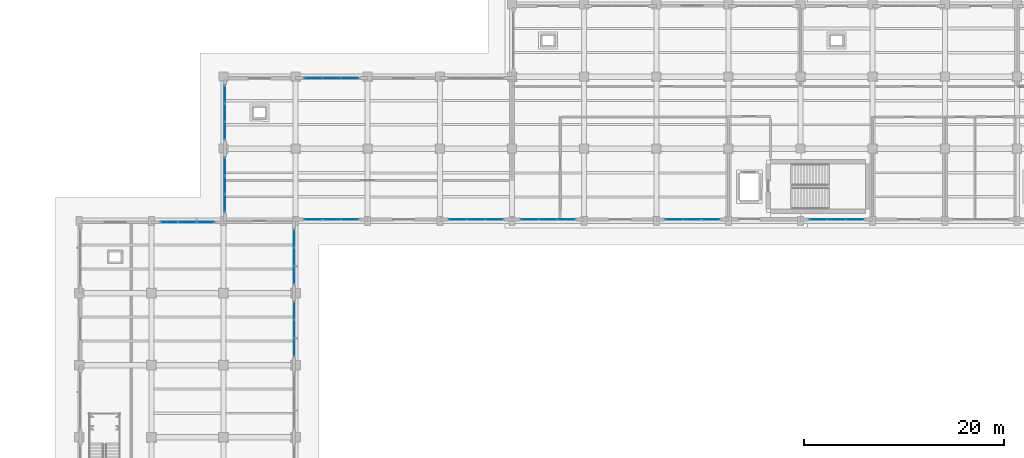
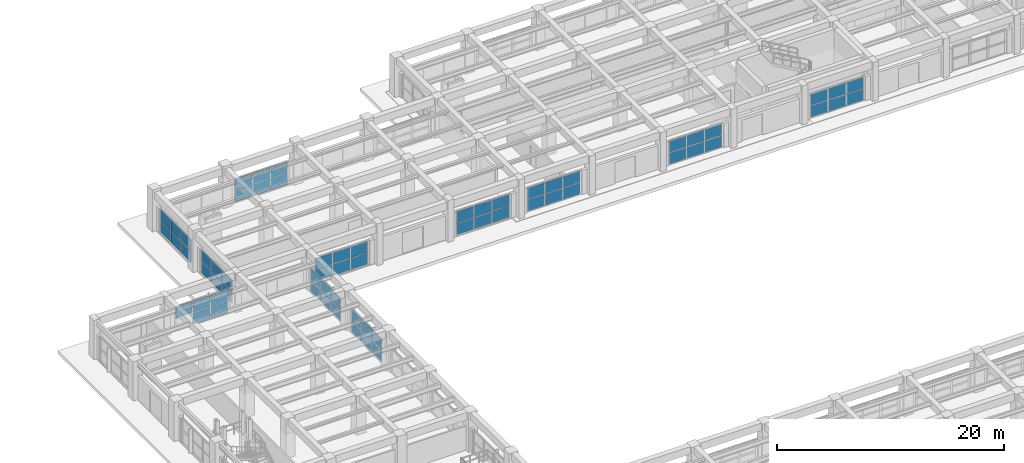
# One storey, part 36 of 64: 65 plates, 11 elements without a shape of their own.
"""IFC4 building model written with IfcOpenShell, lengths in metres."""

from ifc_helpers import new_model, si_unit, direction, frame, origin, origin_2d, place, context, subcontext, project, spatial, rectangle, extrude, material, layer, layer_set, type_object, element, aggregate, save


model = new_model("IFC4")

# Units and contexts
model_context = context("Model", 3, precision=1e-05, world=origin(), true_north=direction((0.0, 1.0)))
body_context = subcontext(model_context, "Body", "Model", "MODEL_VIEW")
ifc_project = project(units=[si_unit("LENGTHUNIT", "METRE"), si_unit("AREAUNIT", "SQUARE_METRE"), si_unit("VOLUMEUNIT", "CUBIC_METRE"), si_unit("PLANEANGLEUNIT", "RADIAN"), si_unit("MASSUNIT", "GRAM", prefix="KILO")], contexts=[model_context])

# Site, building, storey
site_placement = place(None, origin())
site = spatial("IfcSite", under=ifc_project, at=site_placement, CompositionType="ELEMENT")
building_placement = place(site_placement, origin())
building = spatial("IfcBuilding", under=site, at=building_placement, Name="Solenvale Faculty of Natural Sciences", CompositionType="ELEMENT")
storey_placement = place(building_placement, origin())
storey = spatial("IfcBuildingStorey", under=building, at=storey_placement, Name="L00", CompositionType="ELEMENT", Elevation=0.0)

# Curtain wall, plates
ifc_material_1 = material(Name="Anodised bronze aluminium", Category="aluminium")
ifc_layer_1 = layer(ifc_material_1, 0.215087890625)
ifc_layer_set_1 = layer_set([ifc_layer_1], Name="Anodised bronze aluminium")
curtain_wall_type_1 = type_object("IfcCurtainWallType", Name="CW-ATR-UNIT", PredefinedType="USERDEFINED", material=ifc_layer_set_1)
curtain_wall_1_placement = place(storey_placement, origin())
curtain_wall_1 = element("IfcCurtainWall", 1, at=curtain_wall_1_placement, inside=storey, type_object=curtain_wall_type_1, Name="L00 Curtain Wall CW-L00-P1-E10-B5", ObjectType="UNITISED CURTAIN WALL", PredefinedType="USERDEFINED")
ifc_material_2 = material(Name="North-light skylight glass", Category="glass")
ifc_layer_2 = layer(ifc_material_2, 0.028076171875)
ifc_layer_set_2 = layer_set([ifc_layer_2], Name="North-light skylight glass")
plate_type_1 = type_object("IfcPlateType", Name="CWP-PNL-28", PredefinedType="CURTAIN_PANEL", material=ifc_layer_set_2)
plate_1_placement = place(storey_placement, frame((57.45751953125, 80.9853515625, 0.074951171875), z_axis=(0.0, 0.0, 1.0), x_axis=(0.0, 1.0, 0.0)))
plate_1 = element("IfcPlate", 2, at=plate_1_placement, type_object=plate_type_1, Name="CW-01 panel 1.1", PredefinedType="CURTAIN_PANEL", context=body_context, shape_type="SweptSolid", body=[
    extrude(rectangle(XDim=1.720947265625, YDim=0.028076171875, at=origin_2d()), origin(), (0.0, 0.0, 1.0), 1.1875),
])
plate_2_placement = place(storey_placement, frame((57.45751953125, 80.9853515625, 1.33740234375), z_axis=(0.0, 0.0, 1.0), x_axis=(0.0, 1.0, 0.0)))
plate_2 = element("IfcPlate", 3, at=plate_2_placement, type_object=plate_type_1, Name="CW-01 panel 1.2", PredefinedType="CURTAIN_PANEL", context=body_context, shape_type="SweptSolid", body=[
    extrude(rectangle(XDim=1.720947265625, YDim=0.028076171875, at=origin_2d()), origin(), (0.0, 0.0, 1.0), 1.1875),
])
plate_3_placement = place(storey_placement, frame((57.45751953125, 82.800048828125, 0.074951171875), z_axis=(0.0, 0.0, 1.0), x_axis=(0.0, 1.0, 0.0)))
plate_3 = element("IfcPlate", 4, at=plate_3_placement, type_object=plate_type_1, Name="CW-01 panel 2.1", PredefinedType="CURTAIN_PANEL", context=body_context, shape_type="SweptSolid", body=[
    extrude(rectangle(XDim=1.75830078125, YDim=0.028076171875, at=origin_2d()), origin(), (0.0, 0.0, 1.0), 1.1875),
])
plate_4_placement = place(storey_placement, frame((57.45751953125, 82.800048828125, 1.33740234375), z_axis=(0.0, 0.0, 1.0), x_axis=(0.0, 1.0, 0.0)))
plate_4 = element("IfcPlate", 5, at=plate_4_placement, type_object=plate_type_1, Name="CW-01 panel 2.2", PredefinedType="CURTAIN_PANEL", context=body_context, shape_type="SweptSolid", body=[
    extrude(rectangle(XDim=1.75830078125, YDim=0.028076171875, at=origin_2d()), origin(), (0.0, 0.0, 1.0), 1.1875),
])
plate_5_placement = place(storey_placement, frame((57.45751953125, 84.614501953125, 0.074951171875), z_axis=(0.0, 0.0, 1.0), x_axis=(0.0, 1.0, 0.0)))
plate_5 = element("IfcPlate", 6, at=plate_5_placement, type_object=plate_type_1, Name="CW-01 panel 3.1", PredefinedType="CURTAIN_PANEL", context=body_context, shape_type="SweptSolid", body=[
    extrude(rectangle(XDim=1.720947265625, YDim=0.028076171875, at=origin_2d()), origin(), (0.0, 0.0, 1.0), 1.1875),
])
plate_6_placement = place(storey_placement, frame((57.45751953125, 84.614501953125, 1.33740234375), z_axis=(0.0, 0.0, 1.0), x_axis=(0.0, 1.0, 0.0)))
plate_6 = element("IfcPlate", 7, at=plate_6_placement, type_object=plate_type_1, Name="CW-01 panel 3.2", PredefinedType="CURTAIN_PANEL", context=body_context, shape_type="SweptSolid", body=[
    extrude(rectangle(XDim=1.720947265625, YDim=0.028076171875, at=origin_2d()), origin(), (0.0, 0.0, 1.0), 1.1875),
])
aggregate(curtain_wall_1, [plate_1, plate_2, plate_3, plate_4, plate_5, plate_6])

ifc_layer_3 = layer(ifc_material_1, 0.179931640625)
ifc_layer_set_3 = layer_set([ifc_layer_3], Name="Anodised bronze aluminium")
curtain_wall_type_2 = type_object("IfcCurtainWallType", Name="CW-TWR-MOD", PredefinedType="USERDEFINED", material=ifc_layer_set_3)
curtain_wall_2_placement = place(storey_placement, origin())
curtain_wall_2 = element("IfcCurtainWall", 8, at=curtain_wall_2_placement, inside=storey, type_object=curtain_wall_type_2, Name="L00 Curtain Wall CW-L00-P1-E12-B3", ObjectType="UNITISED CURTAIN WALL", PredefinedType="USERDEFINED")
plate_7_placement = place(storey_placement, frame((95.385498046875, 93.742431640625, 0.074951171875), z_axis=(0.0, 0.0, 1.0), x_axis=(1.0, 0.0, 0.0)))
plate_7 = element("IfcPlate", 9, at=plate_7_placement, type_object=plate_type_1, Name="CW-04 panel 1.1", PredefinedType="CURTAIN_PANEL", context=body_context, shape_type="SweptSolid", body=[
    extrude(rectangle(XDim=1.720947265625, YDim=0.028076171875, at=origin_2d()), origin(), (0.0, 0.0, 1.0), 1.1875),
])
plate_8_placement = place(storey_placement, frame((95.385498046875, 93.742431640625, 1.33740234375), z_axis=(0.0, 0.0, 1.0), x_axis=(1.0, 0.0, 0.0)))
plate_8 = element("IfcPlate", 10, at=plate_8_placement, type_object=plate_type_1, Name="CW-04 panel 1.2", PredefinedType="CURTAIN_PANEL", context=body_context, shape_type="SweptSolid", body=[
    extrude(rectangle(XDim=1.720947265625, YDim=0.028076171875, at=origin_2d()), origin(), (0.0, 0.0, 1.0), 1.1875),
])
plate_9_placement = place(storey_placement, frame((97.199951171875, 93.742431640625, 0.074951171875), z_axis=(0.0, 0.0, 1.0), x_axis=(1.0, 0.0, 0.0)))
plate_9 = element("IfcPlate", 11, at=plate_9_placement, type_object=plate_type_1, Name="CW-04 panel 2.1", PredefinedType="CURTAIN_PANEL", context=body_context, shape_type="SweptSolid", body=[
    extrude(rectangle(XDim=1.75830078125, YDim=0.028076171875, at=origin_2d()), origin(), (0.0, 0.0, 1.0), 1.1875),
])
plate_10_placement = place(storey_placement, frame((97.199951171875, 93.742431640625, 1.33740234375), z_axis=(0.0, 0.0, 1.0), x_axis=(1.0, 0.0, 0.0)))
plate_10 = element("IfcPlate", 12, at=plate_10_placement, type_object=plate_type_1, Name="CW-04 panel 2.2", PredefinedType="CURTAIN_PANEL", context=body_context, shape_type="SweptSolid", body=[
    extrude(rectangle(XDim=1.75830078125, YDim=0.028076171875, at=origin_2d()), origin(), (0.0, 0.0, 1.0), 1.1875),
])
plate_11_placement = place(storey_placement, frame((99.0146484375, 93.742431640625, 0.074951171875), z_axis=(0.0, 0.0, 1.0), x_axis=(1.0, 0.0, 0.0)))
plate_11 = element("IfcPlate", 13, at=plate_11_placement, type_object=plate_type_1, Name="CW-04 panel 3.1", PredefinedType="CURTAIN_PANEL", context=body_context, shape_type="SweptSolid", body=[
    extrude(rectangle(XDim=1.720947265625, YDim=0.028076171875, at=origin_2d()), origin(), (0.0, 0.0, 1.0), 1.1875),
])
plate_12_placement = place(storey_placement, frame((99.0146484375, 93.742431640625, 1.33740234375), z_axis=(0.0, 0.0, 1.0), x_axis=(1.0, 0.0, 0.0)))
plate_12 = element("IfcPlate", 14, at=plate_12_placement, type_object=plate_type_1, Name="CW-04 panel 3.2", PredefinedType="CURTAIN_PANEL", context=body_context, shape_type="SweptSolid", body=[
    extrude(rectangle(XDim=1.720947265625, YDim=0.028076171875, at=origin_2d()), origin(), (0.0, 0.0, 1.0), 1.1875),
])
aggregate(curtain_wall_2, [plate_7, plate_8, plate_9, plate_10, plate_11, plate_12])

curtain_wall_3_placement = place(storey_placement, origin())
curtain_wall_3 = element("IfcCurtainWall", 15, at=curtain_wall_3_placement, inside=storey, type_object=curtain_wall_type_1, Name="L00 Curtain Wall CW-L00-P1-E10-B6", ObjectType="UNITISED CURTAIN WALL", PredefinedType="USERDEFINED")
ifc_material_3 = material(Name="Triple low-E insulated glass", Category="glass")
ifc_layer_4 = layer(ifc_material_3, 0.031982421875)
ifc_layer_set_4 = layer_set([ifc_layer_4], Name="Triple low-E insulated glass")
plate_type_2 = type_object("IfcPlateType", Name="CWP-PNL-32", PredefinedType="CURTAIN_PANEL", material=ifc_layer_set_4)
plate_13_placement = place(storey_placement, frame((57.45751953125, 88.185302734375, 0.074951171875), z_axis=(0.0, 0.0, 1.0), x_axis=(0.0, 1.0, 0.0)))
plate_13 = element("IfcPlate", 16, at=plate_13_placement, type_object=plate_type_2, Name="CW-01 panel 1.1", PredefinedType="CURTAIN_PANEL", context=body_context, shape_type="SweptSolid", body=[
    extrude(rectangle(XDim=1.720947265625, YDim=0.031982421875, at=origin_2d()), origin(), (0.0, 0.0, 1.0), 1.1875),
])
plate_14_placement = place(storey_placement, frame((57.45751953125, 88.185302734375, 1.33740234375), z_axis=(0.0, 0.0, 1.0), x_axis=(0.0, 1.0, 0.0)))
plate_14 = element("IfcPlate", 17, at=plate_14_placement, type_object=plate_type_2, Name="CW-01 panel 1.2", PredefinedType="CURTAIN_PANEL", context=body_context, shape_type="SweptSolid", body=[
    extrude(rectangle(XDim=1.720947265625, YDim=0.031982421875, at=origin_2d()), origin(), (0.0, 0.0, 1.0), 1.1875),
])
plate_15_placement = place(storey_placement, frame((57.45751953125, 90.0, 0.074951171875), z_axis=(0.0, 0.0, 1.0), x_axis=(0.0, 1.0, 0.0)))
plate_15 = element("IfcPlate", 18, at=plate_15_placement, type_object=plate_type_2, Name="CW-01 panel 2.1", PredefinedType="CURTAIN_PANEL", context=body_context, shape_type="SweptSolid", body=[
    extrude(rectangle(XDim=1.75830078125, YDim=0.031982421875, at=origin_2d()), origin(), (0.0, 0.0, 1.0), 1.1875),
])
plate_16_placement = place(storey_placement, frame((57.45751953125, 90.0, 1.33740234375), z_axis=(0.0, 0.0, 1.0), x_axis=(0.0, 1.0, 0.0)))
plate_16 = element("IfcPlate", 19, at=plate_16_placement, type_object=plate_type_2, Name="CW-01 panel 2.2", PredefinedType="CURTAIN_PANEL", context=body_context, shape_type="SweptSolid", body=[
    extrude(rectangle(XDim=1.75830078125, YDim=0.031982421875, at=origin_2d()), origin(), (0.0, 0.0, 1.0), 1.1875),
])
plate_17_placement = place(storey_placement, frame((57.45751953125, 91.814697265625, 0.074951171875), z_axis=(0.0, 0.0, 1.0), x_axis=(0.0, 1.0, 0.0)))
plate_17 = element("IfcPlate", 20, at=plate_17_placement, type_object=plate_type_2, Name="CW-01 panel 3.1", PredefinedType="CURTAIN_PANEL", context=body_context, shape_type="SweptSolid", body=[
    extrude(rectangle(XDim=1.720947265625, YDim=0.031982421875, at=origin_2d()), origin(), (0.0, 0.0, 1.0), 1.1875),
])
plate_18_placement = place(storey_placement, frame((57.45751953125, 91.814697265625, 1.33740234375), z_axis=(0.0, 0.0, 1.0), x_axis=(0.0, 1.0, 0.0)))
plate_18 = element("IfcPlate", 21, at=plate_18_placement, type_object=plate_type_2, Name="CW-01 panel 3.2", PredefinedType="CURTAIN_PANEL", context=body_context, shape_type="SweptSolid", body=[
    extrude(rectangle(XDim=1.720947265625, YDim=0.031982421875, at=origin_2d()), origin(), (0.0, 0.0, 1.0), 1.1875),
])
aggregate(curtain_wall_3, [plate_13, plate_14, plate_15, plate_16, plate_17, plate_18])

curtain_wall_4_placement = place(storey_placement, origin())
curtain_wall_4 = element("IfcCurtainWall", 22, at=curtain_wall_4_placement, inside=storey, type_object=curtain_wall_type_2, Name="L00 Curtain Wall CW-L00-P1-E12-B5", ObjectType="UNITISED CURTAIN WALL", PredefinedType="USERDEFINED")
ifc_layer_5 = layer(ifc_material_3, 0.035888671875)
ifc_layer_set_5 = layer_set([ifc_layer_5], Name="Triple low-E insulated glass")
plate_type_3 = type_object("IfcPlateType", Name="CWP-PNL-36", PredefinedType="CURTAIN_PANEL", material=ifc_layer_set_5)
plate_19_placement = place(storey_placement, frame((109.785400390625, 93.742431640625, 0.074951171875), z_axis=(0.0, 0.0, 1.0), x_axis=(1.0, 0.0, 0.0)))
plate_19 = element("IfcPlate", 23, at=plate_19_placement, type_object=plate_type_3, Name="CW-04 panel 1.1", PredefinedType="CURTAIN_PANEL", context=body_context, shape_type="SweptSolid", body=[
    extrude(rectangle(XDim=1.720947265625, YDim=0.035888671875, at=origin_2d()), origin(), (0.0, 0.0, 1.0), 1.1875),
])
plate_20_placement = place(storey_placement, frame((109.785400390625, 93.742431640625, 1.33740234375), z_axis=(0.0, 0.0, 1.0), x_axis=(1.0, 0.0, 0.0)))
plate_20 = element("IfcPlate", 24, at=plate_20_placement, type_object=plate_type_3, Name="CW-04 panel 1.2", PredefinedType="CURTAIN_PANEL", context=body_context, shape_type="SweptSolid", body=[
    extrude(rectangle(XDim=1.720947265625, YDim=0.035888671875, at=origin_2d()), origin(), (0.0, 0.0, 1.0), 1.1875),
])
plate_21_placement = place(storey_placement, frame((111.60009765625, 93.742431640625, 0.074951171875), z_axis=(0.0, 0.0, 1.0), x_axis=(1.0, 0.0, 0.0)))
plate_21 = element("IfcPlate", 25, at=plate_21_placement, type_object=plate_type_3, Name="CW-04 panel 2.1", PredefinedType="CURTAIN_PANEL", context=body_context, shape_type="SweptSolid", body=[
    extrude(rectangle(XDim=1.75830078125, YDim=0.035888671875, at=origin_2d()), origin(), (0.0, 0.0, 1.0), 1.1875),
])
plate_22_placement = place(storey_placement, frame((111.60009765625, 93.742431640625, 1.33740234375), z_axis=(0.0, 0.0, 1.0), x_axis=(1.0, 0.0, 0.0)))
plate_22 = element("IfcPlate", 26, at=plate_22_placement, type_object=plate_type_3, Name="CW-04 panel 2.2", PredefinedType="CURTAIN_PANEL", context=body_context, shape_type="SweptSolid", body=[
    extrude(rectangle(XDim=1.75830078125, YDim=0.035888671875, at=origin_2d()), origin(), (0.0, 0.0, 1.0), 1.1875),
])
plate_23_placement = place(storey_placement, frame((113.41455078125, 93.742431640625, 0.074951171875), z_axis=(0.0, 0.0, 1.0), x_axis=(1.0, 0.0, 0.0)))
plate_23 = element("IfcPlate", 27, at=plate_23_placement, type_object=plate_type_3, Name="CW-04 panel 3.1", PredefinedType="CURTAIN_PANEL", context=body_context, shape_type="SweptSolid", body=[
    extrude(rectangle(XDim=1.720947265625, YDim=0.035888671875, at=origin_2d()), origin(), (0.0, 0.0, 1.0), 1.1875),
])
plate_24_placement = place(storey_placement, frame((113.41455078125, 93.742431640625, 1.33740234375), z_axis=(0.0, 0.0, 1.0), x_axis=(1.0, 0.0, 0.0)))
plate_24 = element("IfcPlate", 28, at=plate_24_placement, type_object=plate_type_3, Name="CW-04 panel 3.2", PredefinedType="CURTAIN_PANEL", context=body_context, shape_type="SweptSolid", body=[
    extrude(rectangle(XDim=1.720947265625, YDim=0.035888671875, at=origin_2d()), origin(), (0.0, 0.0, 1.0), 1.1875),
])
aggregate(curtain_wall_4, [plate_19, plate_20, plate_21, plate_22, plate_23, plate_24])

curtain_wall_5_placement = place(storey_placement, origin())
curtain_wall_5 = element("IfcCurtainWall", 29, at=curtain_wall_5_placement, inside=storey, type_object=curtain_wall_type_2, Name="L00 Curtain Wall CW-L00-P1-E11-B1", ObjectType="UNITISED CURTAIN WALL", PredefinedType="USERDEFINED")
ifc_layer_6 = layer(ifc_material_1, 0.048095703125)
ifc_layer_set_6 = layer_set([ifc_layer_6], Name="Anodised bronze aluminium")
plate_type_4 = type_object("IfcPlateType", Name="CWP-PNL-48", PredefinedType="CURTAIN_PANEL", material=ifc_layer_set_6)
plate_25_placement = place(storey_placement, frame((59.385498046875, 93.742431640625, 0.074951171875), z_axis=(0.0, 0.0, 1.0), x_axis=(1.0, 0.0, 0.0)))
plate_25 = element("IfcPlate", 30, at=plate_25_placement, type_object=plate_type_4, Name="CW-04 panel 1.1", PredefinedType="CURTAIN_PANEL", context=body_context, shape_type="SweptSolid", body=[
    extrude(rectangle(XDim=1.720947265625, YDim=0.048095703125, at=origin_2d()), origin(), (0.0, 0.0, 1.0), 1.1875),
])
plate_26_placement = place(storey_placement, frame((59.385498046875, 93.742431640625, 1.33740234375), z_axis=(0.0, 0.0, 1.0), x_axis=(1.0, 0.0, 0.0)))
plate_26 = element("IfcPlate", 31, at=plate_26_placement, type_object=plate_type_4, Name="CW-04 panel 1.2", PredefinedType="CURTAIN_PANEL", context=body_context, shape_type="SweptSolid", body=[
    extrude(rectangle(XDim=1.720947265625, YDim=0.048095703125, at=origin_2d()), origin(), (0.0, 0.0, 1.0), 1.1875),
])
plate_27_placement = place(storey_placement, frame((61.199951171875, 93.742431640625, 0.074951171875), z_axis=(0.0, 0.0, 1.0), x_axis=(1.0, 0.0, 0.0)))
plate_27 = element("IfcPlate", 32, at=plate_27_placement, type_object=plate_type_4, Name="CW-04 panel 2.1", PredefinedType="CURTAIN_PANEL", context=body_context, shape_type="SweptSolid", body=[
    extrude(rectangle(XDim=1.75830078125, YDim=0.048095703125, at=origin_2d()), origin(), (0.0, 0.0, 1.0), 1.1875),
])
plate_28_placement = place(storey_placement, frame((61.199951171875, 93.742431640625, 1.33740234375), z_axis=(0.0, 0.0, 1.0), x_axis=(1.0, 0.0, 0.0)))
plate_28 = element("IfcPlate", 33, at=plate_28_placement, type_object=plate_type_4, Name="CW-04 panel 2.2", PredefinedType="CURTAIN_PANEL", context=body_context, shape_type="SweptSolid", body=[
    extrude(rectangle(XDim=1.75830078125, YDim=0.048095703125, at=origin_2d()), origin(), (0.0, 0.0, 1.0), 1.1875),
])
plate_29_placement = place(storey_placement, frame((63.0146484375, 93.742431640625, 0.074951171875), z_axis=(0.0, 0.0, 1.0), x_axis=(1.0, 0.0, 0.0)))
plate_29 = element("IfcPlate", 34, at=plate_29_placement, type_object=plate_type_4, Name="CW-04 panel 3.1", PredefinedType="CURTAIN_PANEL", context=body_context, shape_type="SweptSolid", body=[
    extrude(rectangle(XDim=1.720947265625, YDim=0.048095703125, at=origin_2d()), origin(), (0.0, 0.0, 1.0), 1.1875),
])
plate_30_placement = place(storey_placement, frame((63.0146484375, 93.742431640625, 1.33740234375), z_axis=(0.0, 0.0, 1.0), x_axis=(1.0, 0.0, 0.0)))
plate_30 = element("IfcPlate", 35, at=plate_30_placement, type_object=plate_type_4, Name="CW-04 panel 3.2", PredefinedType="CURTAIN_PANEL", context=body_context, shape_type="SweptSolid", body=[
    extrude(rectangle(XDim=1.720947265625, YDim=0.048095703125, at=origin_2d()), origin(), (0.0, 0.0, 1.0), 1.1875),
])
aggregate(curtain_wall_5, [plate_25, plate_26, plate_27, plate_28, plate_29, plate_30])

curtain_wall_6_placement = place(storey_placement, origin())
curtain_wall_6 = element("IfcCurtainWall", 36, at=curtain_wall_6_placement, inside=storey, type_object=curtain_wall_type_2, Name="L00 Curtain Wall CW-L00-P1-E12-B1", ObjectType="UNITISED CURTAIN WALL", PredefinedType="USERDEFINED")
ifc_layer_7 = layer(ifc_material_1, 0.053955078125)
ifc_layer_set_7 = layer_set([ifc_layer_7], Name="Anodised bronze aluminium")
plate_type_5 = type_object("IfcPlateType", Name="CWP-PNL-54", PredefinedType="CURTAIN_PANEL", material=ifc_layer_set_7)
plate_31_placement = place(storey_placement, frame((80.9853515625, 93.742431640625, 0.074951171875), z_axis=(0.0, 0.0, 1.0), x_axis=(1.0, 0.0, 0.0)))
plate_31 = element("IfcPlate", 37, at=plate_31_placement, type_object=plate_type_5, Name="CW-04 panel 1.1", PredefinedType="CURTAIN_PANEL", context=body_context, shape_type="SweptSolid", body=[
    extrude(rectangle(XDim=1.720947265625, YDim=0.053955078125, at=origin_2d()), origin(), (0.0, 0.0, 1.0), 1.1875),
])
plate_32_placement = place(storey_placement, frame((80.9853515625, 93.742431640625, 1.33740234375), z_axis=(0.0, 0.0, 1.0), x_axis=(1.0, 0.0, 0.0)))
plate_32 = element("IfcPlate", 38, at=plate_32_placement, type_object=plate_type_5, Name="CW-04 panel 1.2", PredefinedType="CURTAIN_PANEL", context=body_context, shape_type="SweptSolid", body=[
    extrude(rectangle(XDim=1.720947265625, YDim=0.053955078125, at=origin_2d()), origin(), (0.0, 0.0, 1.0), 1.1875),
])
plate_33_placement = place(storey_placement, frame((82.800048828125, 93.742431640625, 0.074951171875), z_axis=(0.0, 0.0, 1.0), x_axis=(1.0, 0.0, 0.0)))
plate_33 = element("IfcPlate", 39, at=plate_33_placement, type_object=plate_type_5, Name="CW-04 panel 2.1", PredefinedType="CURTAIN_PANEL", context=body_context, shape_type="SweptSolid", body=[
    extrude(rectangle(XDim=1.75830078125, YDim=0.053955078125, at=origin_2d()), origin(), (0.0, 0.0, 1.0), 1.1875),
])
plate_34_placement = place(storey_placement, frame((82.800048828125, 93.742431640625, 1.33740234375), z_axis=(0.0, 0.0, 1.0), x_axis=(1.0, 0.0, 0.0)))
plate_34 = element("IfcPlate", 40, at=plate_34_placement, type_object=plate_type_5, Name="CW-04 panel 2.2", PredefinedType="CURTAIN_PANEL", context=body_context, shape_type="SweptSolid", body=[
    extrude(rectangle(XDim=1.75830078125, YDim=0.053955078125, at=origin_2d()), origin(), (0.0, 0.0, 1.0), 1.1875),
])
plate_35_placement = place(storey_placement, frame((84.614501953125, 93.742431640625, 0.074951171875), z_axis=(0.0, 0.0, 1.0), x_axis=(1.0, 0.0, 0.0)))
plate_35 = element("IfcPlate", 41, at=plate_35_placement, type_object=plate_type_5, Name="CW-04 panel 3.1", PredefinedType="CURTAIN_PANEL", context=body_context, shape_type="SweptSolid", body=[
    extrude(rectangle(XDim=1.720947265625, YDim=0.053955078125, at=origin_2d()), origin(), (0.0, 0.0, 1.0), 1.1875),
])
plate_36_placement = place(storey_placement, frame((84.614501953125, 93.742431640625, 1.33740234375), z_axis=(0.0, 0.0, 1.0), x_axis=(1.0, 0.0, 0.0)))
plate_36 = element("IfcPlate", 42, at=plate_36_placement, type_object=plate_type_5, Name="CW-04 panel 3.2", PredefinedType="CURTAIN_PANEL", context=body_context, shape_type="SweptSolid", body=[
    extrude(rectangle(XDim=1.720947265625, YDim=0.053955078125, at=origin_2d()), origin(), (0.0, 0.0, 1.0), 1.1875),
])
aggregate(curtain_wall_6, [plate_31, plate_32, plate_33, plate_34, plate_35, plate_36])

curtain_wall_7_placement = place(storey_placement, origin())
curtain_wall_7 = element("IfcCurtainWall", 43, at=curtain_wall_7_placement, inside=storey, type_object=curtain_wall_type_2, Name="L00 Curtain Wall CW-L00-P1-E20-B1", ObjectType="UNITISED CURTAIN WALL", PredefinedType="USERDEFINED")
plate_37_placement = place(storey_placement, frame((50.54248046875, 106.214599609375, 0.074951171875), z_axis=(0.0, 0.0, 1.0), x_axis=(0.0, -1.0, 0.0)))
plate_37 = element("IfcPlate", 44, at=plate_37_placement, type_object=plate_type_5, Name="CW-04 panel 1.1", PredefinedType="CURTAIN_PANEL", context=body_context, shape_type="SweptSolid", body=[
    extrude(rectangle(XDim=1.720947265625, YDim=0.053955078125, at=origin_2d()), origin(), (0.0, 0.0, 1.0), 1.1875),
])
plate_38_placement = place(storey_placement, frame((50.54248046875, 106.214599609375, 1.33740234375), z_axis=(0.0, 0.0, 1.0), x_axis=(0.0, -1.0, 0.0)))
plate_38 = element("IfcPlate", 45, at=plate_38_placement, type_object=plate_type_5, Name="CW-04 panel 1.2", PredefinedType="CURTAIN_PANEL", context=body_context, shape_type="SweptSolid", body=[
    extrude(rectangle(XDim=1.720947265625, YDim=0.053955078125, at=origin_2d()), origin(), (0.0, 0.0, 1.0), 1.1875),
])
plate_39_placement = place(storey_placement, frame((50.54248046875, 104.39990234375, 0.074951171875), z_axis=(0.0, 0.0, 1.0), x_axis=(0.0, -1.0, 0.0)))
plate_39 = element("IfcPlate", 46, at=plate_39_placement, type_object=plate_type_5, Name="CW-04 panel 2.1", PredefinedType="CURTAIN_PANEL", context=body_context, shape_type="SweptSolid", body=[
    extrude(rectangle(XDim=1.75830078125, YDim=0.053955078125, at=origin_2d()), origin(), (0.0, 0.0, 1.0), 1.1875),
])
plate_40_placement = place(storey_placement, frame((50.54248046875, 104.39990234375, 1.33740234375), z_axis=(0.0, 0.0, 1.0), x_axis=(0.0, -1.0, 0.0)))
plate_40 = element("IfcPlate", 47, at=plate_40_placement, type_object=plate_type_5, Name="CW-04 panel 2.2", PredefinedType="CURTAIN_PANEL", context=body_context, shape_type="SweptSolid", body=[
    extrude(rectangle(XDim=1.75830078125, YDim=0.053955078125, at=origin_2d()), origin(), (0.0, 0.0, 1.0), 1.1875),
])
plate_41_placement = place(storey_placement, frame((50.54248046875, 102.58544921875, 0.074951171875), z_axis=(0.0, 0.0, 1.0), x_axis=(0.0, -1.0, 0.0)))
plate_41 = element("IfcPlate", 48, at=plate_41_placement, type_object=plate_type_5, Name="CW-04 panel 3.1", PredefinedType="CURTAIN_PANEL", context=body_context, shape_type="SweptSolid", body=[
    extrude(rectangle(XDim=1.720947265625, YDim=0.053955078125, at=origin_2d()), origin(), (0.0, 0.0, 1.0), 1.1875),
])
plate_42_placement = place(storey_placement, frame((50.54248046875, 102.58544921875, 1.33740234375), z_axis=(0.0, 0.0, 1.0), x_axis=(0.0, -1.0, 0.0)))
plate_42 = element("IfcPlate", 49, at=plate_42_placement, type_object=plate_type_5, Name="CW-04 panel 3.2", PredefinedType="CURTAIN_PANEL", context=body_context, shape_type="SweptSolid", body=[
    extrude(rectangle(XDim=1.720947265625, YDim=0.053955078125, at=origin_2d()), origin(), (0.0, 0.0, 1.0), 1.1875),
])
aggregate(curtain_wall_7, [plate_37, plate_38, plate_39, plate_40, plate_41, plate_42])

curtain_wall_8_placement = place(storey_placement, origin())
curtain_wall_8 = element("IfcCurtainWall", 50, at=curtain_wall_8_placement, inside=storey, type_object=curtain_wall_type_2, Name="L00 Curtain Wall CW-L00-P1-E11-B3", ObjectType="UNITISED CURTAIN WALL", PredefinedType="USERDEFINED")
ifc_layer_8 = layer(ifc_material_1, 0.06005859375)
ifc_layer_set_8 = layer_set([ifc_layer_8], Name="Anodised bronze aluminium")
plate_type_6 = type_object("IfcPlateType", Name="CWP-PNL-60", PredefinedType="CURTAIN_PANEL", material=ifc_layer_set_8)
plate_43_placement = place(storey_placement, frame((73.785400390625, 93.742431640625, 0.074951171875), z_axis=(0.0, 0.0, 1.0), x_axis=(1.0, 0.0, 0.0)))
plate_43 = element("IfcPlate", 51, at=plate_43_placement, type_object=plate_type_6, Name="CW-04 panel 1.1", PredefinedType="CURTAIN_PANEL", context=body_context, shape_type="SweptSolid", body=[
    extrude(rectangle(XDim=1.720947265625, YDim=0.06005859375, at=origin_2d()), origin(), (0.0, 0.0, 1.0), 1.1875),
])
plate_44_placement = place(storey_placement, frame((73.785400390625, 93.742431640625, 1.33740234375), z_axis=(0.0, 0.0, 1.0), x_axis=(1.0, 0.0, 0.0)))
plate_44 = element("IfcPlate", 52, at=plate_44_placement, type_object=plate_type_6, Name="CW-04 panel 1.2", PredefinedType="CURTAIN_PANEL", context=body_context, shape_type="SweptSolid", body=[
    extrude(rectangle(XDim=1.720947265625, YDim=0.06005859375, at=origin_2d()), origin(), (0.0, 0.0, 1.0), 1.1875),
])
plate_45_placement = place(storey_placement, frame((75.60009765625, 93.742431640625, 0.074951171875), z_axis=(0.0, 0.0, 1.0), x_axis=(1.0, 0.0, 0.0)))
plate_45 = element("IfcPlate", 53, at=plate_45_placement, type_object=plate_type_6, Name="CW-04 panel 2.1", PredefinedType="CURTAIN_PANEL", context=body_context, shape_type="SweptSolid", body=[
    extrude(rectangle(XDim=1.75830078125, YDim=0.06005859375, at=origin_2d()), origin(), (0.0, 0.0, 1.0), 1.1875),
])
plate_46_placement = place(storey_placement, frame((75.60009765625, 93.742431640625, 1.33740234375), z_axis=(0.0, 0.0, 1.0), x_axis=(1.0, 0.0, 0.0)))
plate_46 = element("IfcPlate", 54, at=plate_46_placement, type_object=plate_type_6, Name="CW-04 panel 2.2", PredefinedType="CURTAIN_PANEL", context=body_context, shape_type="SweptSolid", body=[
    extrude(rectangle(XDim=1.75830078125, YDim=0.06005859375, at=origin_2d()), origin(), (0.0, 0.0, 1.0), 1.1875),
])
plate_47_placement = place(storey_placement, frame((77.41455078125, 93.742431640625, 0.074951171875), z_axis=(0.0, 0.0, 1.0), x_axis=(1.0, 0.0, 0.0)))
plate_47 = element("IfcPlate", 55, at=plate_47_placement, type_object=plate_type_6, Name="CW-04 panel 3.1", PredefinedType="CURTAIN_PANEL", context=body_context, shape_type="SweptSolid", body=[
    extrude(rectangle(XDim=1.720947265625, YDim=0.06005859375, at=origin_2d()), origin(), (0.0, 0.0, 1.0), 1.1875),
])
plate_48_placement = place(storey_placement, frame((77.41455078125, 93.742431640625, 1.33740234375), z_axis=(0.0, 0.0, 1.0), x_axis=(1.0, 0.0, 0.0)))
plate_48 = element("IfcPlate", 56, at=plate_48_placement, type_object=plate_type_6, Name="CW-04 panel 3.2", PredefinedType="CURTAIN_PANEL", context=body_context, shape_type="SweptSolid", body=[
    extrude(rectangle(XDim=1.720947265625, YDim=0.06005859375, at=origin_2d()), origin(), (0.0, 0.0, 1.0), 1.1875),
])
aggregate(curtain_wall_8, [plate_43, plate_44, plate_45, plate_46, plate_47, plate_48])

curtain_wall_9_placement = place(storey_placement, origin())
curtain_wall_9 = element("IfcCurtainWall", 57, at=curtain_wall_9_placement, inside=storey, type_object=curtain_wall_type_2, Name="L00 Curtain Wall CW-L00-P1-E19-B3", ObjectType="UNITISED CURTAIN WALL", PredefinedType="USERDEFINED")
plate_49_placement = place(storey_placement, frame((63.0146484375, 107.857421875, 0.074951171875), z_axis=(0.0, 0.0, 1.0), x_axis=(-1.0, 0.0, 0.0)))
plate_49 = element("IfcPlate", 58, at=plate_49_placement, type_object=plate_type_6, Name="CW-04 panel 1.1", PredefinedType="CURTAIN_PANEL", context=body_context, shape_type="SweptSolid", body=[
    extrude(rectangle(XDim=1.720947265625, YDim=0.06005859375, at=origin_2d()), origin(), (0.0, 0.0, 1.0), 1.1875),
])
plate_50_placement = place(storey_placement, frame((63.0146484375, 107.857421875, 1.33740234375), z_axis=(0.0, 0.0, 1.0), x_axis=(-1.0, 0.0, 0.0)))
plate_50 = element("IfcPlate", 59, at=plate_50_placement, type_object=plate_type_6, Name="CW-04 panel 1.2", PredefinedType="CURTAIN_PANEL", context=body_context, shape_type="SweptSolid", body=[
    extrude(rectangle(XDim=1.720947265625, YDim=0.06005859375, at=origin_2d()), origin(), (0.0, 0.0, 1.0), 1.1875),
])
plate_51_placement = place(storey_placement, frame((61.199951171875, 107.857421875, 0.074951171875), z_axis=(0.0, 0.0, 1.0), x_axis=(-1.0, 0.0, 0.0)))
plate_51 = element("IfcPlate", 60, at=plate_51_placement, type_object=plate_type_6, Name="CW-04 panel 2.1", PredefinedType="CURTAIN_PANEL", context=body_context, shape_type="SweptSolid", body=[
    extrude(rectangle(XDim=1.75830078125, YDim=0.06005859375, at=origin_2d()), origin(), (0.0, 0.0, 1.0), 1.1875),
])
plate_52_placement = place(storey_placement, frame((61.199951171875, 107.857421875, 1.33740234375), z_axis=(0.0, 0.0, 1.0), x_axis=(-1.0, 0.0, 0.0)))
plate_52 = element("IfcPlate", 61, at=plate_52_placement, type_object=plate_type_6, Name="CW-04 panel 2.2", PredefinedType="CURTAIN_PANEL", context=body_context, shape_type="SweptSolid", body=[
    extrude(rectangle(XDim=1.75830078125, YDim=0.06005859375, at=origin_2d()), origin(), (0.0, 0.0, 1.0), 1.1875),
])
plate_53_placement = place(storey_placement, frame((59.385498046875, 107.857421875, 0.074951171875), z_axis=(0.0, 0.0, 1.0), x_axis=(-1.0, 0.0, 0.0)))
plate_53 = element("IfcPlate", 62, at=plate_53_placement, type_object=plate_type_6, Name="CW-04 panel 3.1", PredefinedType="CURTAIN_PANEL", context=body_context, shape_type="SweptSolid", body=[
    extrude(rectangle(XDim=1.720947265625, YDim=0.06005859375, at=origin_2d()), origin(), (0.0, 0.0, 1.0), 1.1875),
])
plate_54_placement = place(storey_placement, frame((59.385498046875, 107.857421875, 1.33740234375), z_axis=(0.0, 0.0, 1.0), x_axis=(-1.0, 0.0, 0.0)))
plate_54 = element("IfcPlate", 63, at=plate_54_placement, type_object=plate_type_6, Name="CW-04 panel 3.2", PredefinedType="CURTAIN_PANEL", context=body_context, shape_type="SweptSolid", body=[
    extrude(rectangle(XDim=1.720947265625, YDim=0.06005859375, at=origin_2d()), origin(), (0.0, 0.0, 1.0), 1.1875),
])
aggregate(curtain_wall_9, [plate_49, plate_50, plate_51, plate_52, plate_53, plate_54])

curtain_wall_10_placement = place(storey_placement, origin())
curtain_wall_10 = element("IfcCurtainWall", 64, at=curtain_wall_10_placement, inside=storey, type_object=curtain_wall_type_2, Name="L00 Curtain Wall CW-L00-P1-E20-B2", ObjectType="UNITISED CURTAIN WALL", PredefinedType="USERDEFINED")
plate_55_placement = place(storey_placement, frame((50.54248046875, 99.0146484375, 0.074951171875), z_axis=(0.0, 0.0, 1.0), x_axis=(0.0, -1.0, 0.0)))
plate_55 = element("IfcPlate", 65, at=plate_55_placement, type_object=plate_type_6, Name="CW-04 panel 1.1", PredefinedType="CURTAIN_PANEL", context=body_context, shape_type="SweptSolid", body=[
    extrude(rectangle(XDim=1.720947265625, YDim=0.06005859375, at=origin_2d()), origin(), (0.0, 0.0, 1.0), 1.1875),
])
plate_56_placement = place(storey_placement, frame((50.54248046875, 99.0146484375, 1.33740234375), z_axis=(0.0, 0.0, 1.0), x_axis=(0.0, -1.0, 0.0)))
plate_56 = element("IfcPlate", 66, at=plate_56_placement, type_object=plate_type_6, Name="CW-04 panel 1.2", PredefinedType="CURTAIN_PANEL", context=body_context, shape_type="SweptSolid", body=[
    extrude(rectangle(XDim=1.720947265625, YDim=0.06005859375, at=origin_2d()), origin(), (0.0, 0.0, 1.0), 1.1875),
])
plate_57_placement = place(storey_placement, frame((50.54248046875, 97.199951171875, 0.074951171875), z_axis=(0.0, 0.0, 1.0), x_axis=(0.0, -1.0, 0.0)))
plate_57 = element("IfcPlate", 67, at=plate_57_placement, type_object=plate_type_6, Name="CW-04 panel 2.1", PredefinedType="CURTAIN_PANEL", context=body_context, shape_type="SweptSolid", body=[
    extrude(rectangle(XDim=1.75830078125, YDim=0.06005859375, at=origin_2d()), origin(), (0.0, 0.0, 1.0), 1.1875),
])
plate_58_placement = place(storey_placement, frame((50.54248046875, 97.199951171875, 1.33740234375), z_axis=(0.0, 0.0, 1.0), x_axis=(0.0, -1.0, 0.0)))
plate_58 = element("IfcPlate", 68, at=plate_58_placement, type_object=plate_type_6, Name="CW-04 panel 2.2", PredefinedType="CURTAIN_PANEL", context=body_context, shape_type="SweptSolid", body=[
    extrude(rectangle(XDim=1.75830078125, YDim=0.06005859375, at=origin_2d()), origin(), (0.0, 0.0, 1.0), 1.1875),
])
plate_59_placement = place(storey_placement, frame((50.54248046875, 95.385498046875, 0.074951171875), z_axis=(0.0, 0.0, 1.0), x_axis=(0.0, -1.0, 0.0)))
plate_59 = element("IfcPlate", 69, at=plate_59_placement, type_object=plate_type_6, Name="CW-04 panel 3.1", PredefinedType="CURTAIN_PANEL", context=body_context, shape_type="SweptSolid", body=[
    extrude(rectangle(XDim=1.720947265625, YDim=0.06005859375, at=origin_2d()), origin(), (0.0, 0.0, 1.0), 1.1875),
])
plate_60_placement = place(storey_placement, frame((50.54248046875, 95.385498046875, 1.33740234375), z_axis=(0.0, 0.0, 1.0), x_axis=(0.0, -1.0, 0.0)))
plate_60 = element("IfcPlate", 70, at=plate_60_placement, type_object=plate_type_6, Name="CW-04 panel 3.2", PredefinedType="CURTAIN_PANEL", context=body_context, shape_type="SweptSolid", body=[
    extrude(rectangle(XDim=1.720947265625, YDim=0.06005859375, at=origin_2d()), origin(), (0.0, 0.0, 1.0), 1.1875),
])
aggregate(curtain_wall_10, [plate_55, plate_56, plate_57, plate_58, plate_59, plate_60])

curtain_wall_11_placement = place(storey_placement, origin())
curtain_wall_11 = element("IfcCurtainWall", 71, at=curtain_wall_11_placement, inside=storey, type_object=curtain_wall_type_1, Name="L00 Curtain Wall CW-L00-P1-E21-B1", ObjectType="UNITISED CURTAIN WALL", PredefinedType="USERDEFINED")
plate_61_placement = place(storey_placement, frame((48.614501953125, 93.45751953125, 0.074951171875), z_axis=(0.0, 0.0, 1.0), x_axis=(-1.0, 0.0, 0.0)))
plate_61 = element("IfcPlate", 72, at=plate_61_placement, type_object=plate_type_6, Name="CW-01 panel 1.1", PredefinedType="CURTAIN_PANEL", context=body_context, shape_type="SweptSolid", body=[
    extrude(rectangle(XDim=1.720947265625, YDim=0.06005859375, at=origin_2d()), origin(), (0.0, 0.0, 1.0), 1.1875),
])
plate_62_placement = place(storey_placement, frame((48.614501953125, 93.45751953125, 1.33740234375), z_axis=(0.0, 0.0, 1.0), x_axis=(-1.0, 0.0, 0.0)))
plate_62 = element("IfcPlate", 73, at=plate_62_placement, type_object=plate_type_6, Name="CW-01 panel 1.2", PredefinedType="CURTAIN_PANEL", context=body_context, shape_type="SweptSolid", body=[
    extrude(rectangle(XDim=1.720947265625, YDim=0.06005859375, at=origin_2d()), origin(), (0.0, 0.0, 1.0), 1.1875),
])
plate_63_placement = place(storey_placement, frame((46.800048828125, 93.45751953125, 0.074951171875), z_axis=(0.0, 0.0, 1.0), x_axis=(-1.0, 0.0, 0.0)))
plate_63 = element("IfcPlate", 74, at=plate_63_placement, type_object=plate_type_6, Name="CW-01 panel 2.1", PredefinedType="CURTAIN_PANEL", context=body_context, shape_type="SweptSolid", body=[
    extrude(rectangle(XDim=1.75830078125, YDim=0.06005859375, at=origin_2d()), origin(), (0.0, 0.0, 1.0), 1.1875),
])
plate_64_placement = place(storey_placement, frame((46.800048828125, 93.45751953125, 1.33740234375), z_axis=(0.0, 0.0, 1.0), x_axis=(-1.0, 0.0, 0.0)))
plate_64 = element("IfcPlate", 75, at=plate_64_placement, type_object=plate_type_6, Name="CW-01 panel 2.2", PredefinedType="CURTAIN_PANEL", context=body_context, shape_type="SweptSolid", body=[
    extrude(rectangle(XDim=1.75830078125, YDim=0.06005859375, at=origin_2d()), origin(), (0.0, 0.0, 1.0), 1.1875),
])
plate_65_placement = place(storey_placement, frame((44.9853515625, 93.45751953125, 1.33740234375), z_axis=(0.0, 0.0, 1.0), x_axis=(-1.0, 0.0, 0.0)))
plate_65 = element("IfcPlate", 76, at=plate_65_placement, type_object=plate_type_6, Name="CW-01 panel 3.2", PredefinedType="CURTAIN_PANEL", context=body_context, shape_type="SweptSolid", body=[
    extrude(rectangle(XDim=1.720947265625, YDim=0.06005859375, at=origin_2d()), origin(), (0.0, 0.0, 1.0), 1.1875),
])
aggregate(curtain_wall_11, [plate_61, plate_62, plate_63, plate_64, plate_65])

save(model, "model.ifc")
